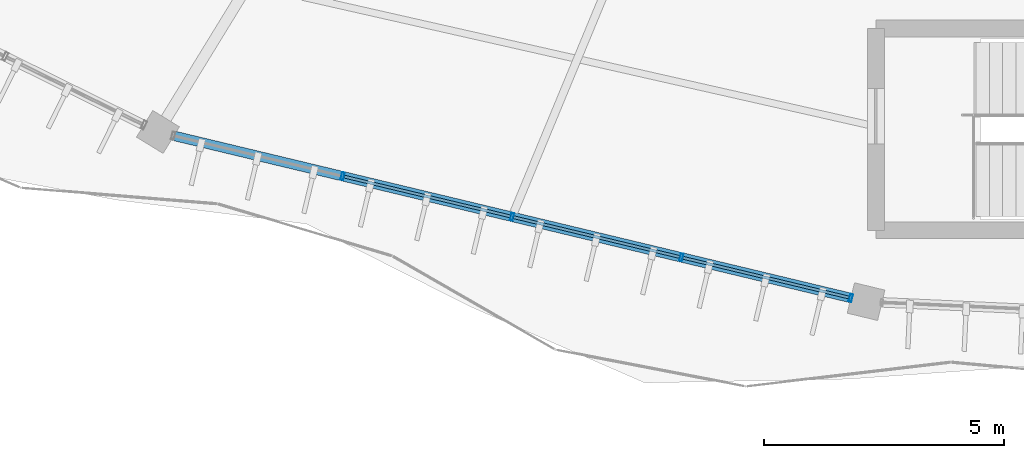
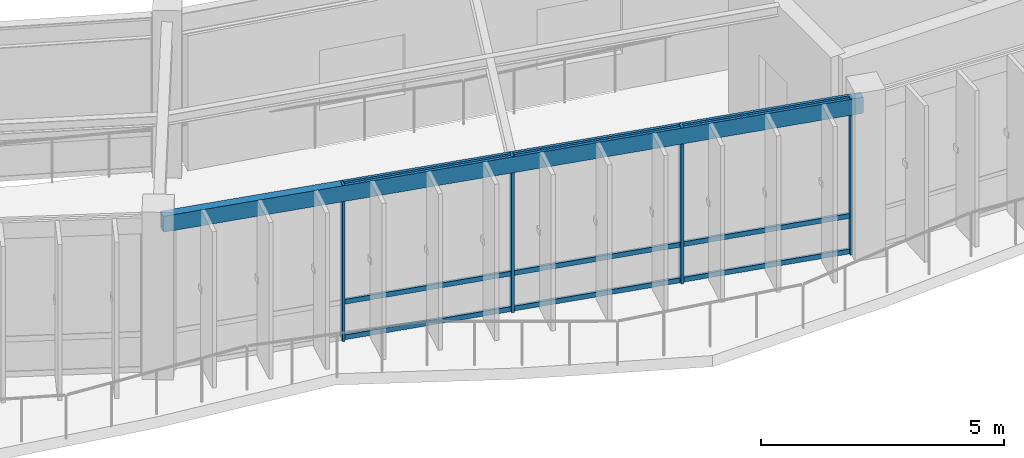
# One storey, part 22 of 114: 13 members, 1 beam, 1 element without a shape of its own.
"""IFC4 building model written with IfcOpenShell, lengths in metres."""

from ifc_helpers import new_model, si_unit, direction, frame, origin, origin_2d, place, context, subcontext, project, spatial, hollow_rectangle, extrude, material, material_profile, profile_set, type_object, element, aggregate, save


model = new_model("IFC4")

# Units and contexts
model_context = context("Model", 3, precision=1e-05, world=origin(), true_north=direction((0.0, 1.0)))
body_context = subcontext(model_context, "Body", "Model", "MODEL_VIEW")
ifc_project = project(units=[si_unit("LENGTHUNIT", "METRE"), si_unit("AREAUNIT", "SQUARE_METRE"), si_unit("VOLUMEUNIT", "CUBIC_METRE"), si_unit("PLANEANGLEUNIT", "RADIAN"), si_unit("MASSUNIT", "GRAM", prefix="KILO"), si_unit("THERMODYNAMICTEMPERATUREUNIT", "KELVIN"), si_unit("POWERUNIT", "WATT")], contexts=[model_context])

# Site, building, storey
site_placement = place(None, origin())
site = spatial("IfcSite", under=ifc_project, at=site_placement, CompositionType="ELEMENT")
building_placement = place(site_placement, origin())
building = spatial("IfcBuilding", under=site, at=building_placement, Name="Darbajah Civic Hall", CompositionType="ELEMENT")
storey_placement = place(building_placement, frame((0.0, 0.0, 13.800048828125)))
storey = spatial("IfcBuildingStorey", under=building, at=storey_placement, Name="L03", CompositionType="ELEMENT", Elevation=13.800048828125)

# Curtain wall, members
ifc_material_1 = material(Name="Anodised Bronze Aluminium and Low-E Glazing", Category="aluminium")
curtain_wall_type = type_object("IfcCurtainWallType", Name="Unitised Curtain Wall CW-48 14500x3900", PredefinedType="USERDEFINED", material=ifc_material_1)
curtain_wall_placement = place(storey_placement, origin())
curtain_wall = element("IfcCurtainWall", 1, at=curtain_wall_placement, inside=storey, type_object=curtain_wall_type, Name="L03 unitised curtain wall CW-V1O-L03-13", ObjectType="UNITISED CURTAIN WALL", PredefinedType="USERDEFINED")
ifc_material_2 = material(Name="Anodised Bronze Aluminium", Category="aluminium")
ifc_material_profile_1 = material_profile(ifc_material_2, hollow_rectangle(XDim=0.06005859375, YDim=0.159912109375, WallThickness=0.00341796875, at=origin_2d()), Name="ALU MULLION 60x160")
ifc_profile_set_1 = profile_set([ifc_material_profile_1], Name="Anodised Bronze Aluminium")
member_type_1 = type_object("IfcMemberType", Name="ALU MULLION 60x160", PredefinedType="MULLION", material=ifc_profile_set_1)
member_1_placement = place(storey_placement, frame((66.297119140625, 63.72607421875, 0.0), z_axis=(0.0, 0.0, 1.0), x_axis=(0.972492018808, -0.232936200179, 0.0)))
member_1 = element("IfcMember", 2, at=member_1_placement, type_object=member_type_1, Name="CW-V1O-L03-13 mullion 2", PredefinedType="MULLION", context=body_context, shape_type="SweptSolid", body=[
    extrude(hollow_rectangle(XDim=0.06005859375, YDim=0.159912109375, WallThickness=0.00341796875, at=origin_2d()), origin(), (0.0, 0.0, 1.0), 3.919921875),
])
member_2_placement = place(storey_placement, frame((69.823486328125, 62.881103515625, 0.0), z_axis=(0.0, 0.0, 1.0), x_axis=(0.972492018808, -0.232936200179, 0.0)))
member_2 = element("IfcMember", 3, at=member_2_placement, type_object=member_type_1, Name="CW-V1O-L03-13 mullion 3", PredefinedType="MULLION", context=body_context, shape_type="SweptSolid", body=[
    extrude(hollow_rectangle(XDim=0.06005859375, YDim=0.159912109375, WallThickness=0.00341796875, at=origin_2d()), origin(), (0.0, 0.0, 1.0), 3.919921875),
])
member_3_placement = place(storey_placement, frame((73.349853515625, 62.0361328125, 0.0), z_axis=(0.0, 0.0, 1.0), x_axis=(0.972492018808, -0.232936200179, 0.0)))
member_3 = element("IfcMember", 4, at=member_3_placement, type_object=member_type_1, Name="CW-V1O-L03-13 mullion 4", PredefinedType="MULLION", context=body_context, shape_type="SweptSolid", body=[
    extrude(hollow_rectangle(XDim=0.06005859375, YDim=0.159912109375, WallThickness=0.00341796875, at=origin_2d()), origin(), (0.0, 0.0, 1.0), 3.919921875),
])
member_4_placement = place(storey_placement, frame((76.876220703125, 61.19140625, 0.0), z_axis=(0.0, 0.0, 1.0), x_axis=(0.972492018808, -0.232936200179, 0.0)))
member_4 = element("IfcMember", 5, at=member_4_placement, type_object=member_type_1, Name="CW-V1O-L03-13 mullion 5", PredefinedType="MULLION", context=body_context, shape_type="SweptSolid", body=[
    extrude(hollow_rectangle(XDim=0.06005859375, YDim=0.159912109375, WallThickness=0.00341796875, at=origin_2d()), origin(), (0.0, 0.0, 1.0), 3.919921875),
])
ifc_material_profile_2 = material_profile(ifc_material_2, hollow_rectangle(XDim=0.06005859375, YDim=0.1201171875, WallThickness=0.003173828125, at=origin_2d()), Name="ALU TRANSOM 60x120")
ifc_profile_set_2 = profile_set([ifc_material_profile_2], Name="Anodised Bronze Aluminium")
member_type_2 = type_object("IfcMemberType", Name="ALU TRANSOM 60x120", PredefinedType="USERDEFINED", material=ifc_profile_set_2)
member_5_placement = place(storey_placement, frame((66.3310546875, 63.7177734375, 0.06005859375), z_axis=(0.972490033445, -0.232944488774, 0.0), x_axis=(0.232944488774, 0.972490033445, 0.0)))
member_5 = element("IfcMember", 6, at=member_5_placement, type_object=member_type_2, Name="CW-V1O-L03-13 transom 2.1", ObjectType="TRANSOM", PredefinedType="USERDEFINED", context=body_context, shape_type="SweptSolid", body=[
    extrude(hollow_rectangle(XDim=0.06005859375, YDim=0.1201171875, WallThickness=0.003173828125, at=origin_2d()), origin(), (0.0, 0.0, 1.0), 3.55615234375),
])
member_6_placement = place(storey_placement, frame((66.3310546875, 63.7177734375, 0.949951171875), z_axis=(0.972490033445, -0.232944488774, 0.0), x_axis=(0.232944488774, 0.972490033445, 0.0)))
member_6 = element("IfcMember", 7, at=member_6_placement, type_object=member_type_2, Name="CW-V1O-L03-13 transom 2.2", ObjectType="TRANSOM", PredefinedType="USERDEFINED", context=body_context, shape_type="SweptSolid", body=[
    extrude(hollow_rectangle(XDim=0.06005859375, YDim=0.1201171875, WallThickness=0.003173828125, at=origin_2d()), origin(), (0.0, 0.0, 1.0), 3.55615234375),
])
member_7_placement = place(storey_placement, frame((66.3310546875, 63.7177734375, 3.85986328125), z_axis=(0.972490033445, -0.232944488774, 0.0), x_axis=(0.232944488774, 0.972490033445, 0.0)))
member_7 = element("IfcMember", 8, at=member_7_placement, type_object=member_type_2, Name="CW-V1O-L03-13 transom 2.3", ObjectType="TRANSOM", PredefinedType="USERDEFINED", context=body_context, shape_type="SweptSolid", body=[
    extrude(hollow_rectangle(XDim=0.06005859375, YDim=0.1201171875, WallThickness=0.003173828125, at=origin_2d()), origin(), (0.0, 0.0, 1.0), 3.55615234375),
])
member_8_placement = place(storey_placement, frame((69.857421875, 62.872802734375, 0.06005859375), z_axis=(0.972493758477, -0.232928937068, 0.0), x_axis=(0.232928937068, 0.972493758477, 0.0)))
member_8 = element("IfcMember", 9, at=member_8_placement, type_object=member_type_2, Name="CW-V1O-L03-13 transom 3.1", ObjectType="TRANSOM", PredefinedType="USERDEFINED", context=body_context, shape_type="SweptSolid", body=[
    extrude(hollow_rectangle(XDim=0.06005859375, YDim=0.1201171875, WallThickness=0.003173828125, at=origin_2d()), origin(), (0.0, 0.0, 1.0), 3.556396484375),
])
member_9_placement = place(storey_placement, frame((69.857421875, 62.872802734375, 0.949951171875), z_axis=(0.972493758477, -0.232928937068, 0.0), x_axis=(0.232928937068, 0.972493758477, 0.0)))
member_9 = element("IfcMember", 10, at=member_9_placement, type_object=member_type_2, Name="CW-V1O-L03-13 transom 3.2", ObjectType="TRANSOM", PredefinedType="USERDEFINED", context=body_context, shape_type="SweptSolid", body=[
    extrude(hollow_rectangle(XDim=0.06005859375, YDim=0.1201171875, WallThickness=0.003173828125, at=origin_2d()), origin(), (0.0, 0.0, 1.0), 3.556396484375),
])
member_10_placement = place(storey_placement, frame((69.857421875, 62.872802734375, 3.85986328125), z_axis=(0.972493758477, -0.232928937068, 0.0), x_axis=(0.232928937068, 0.972493758477, 0.0)))
member_10 = element("IfcMember", 11, at=member_10_placement, type_object=member_type_2, Name="CW-V1O-L03-13 transom 3.3", ObjectType="TRANSOM", PredefinedType="USERDEFINED", context=body_context, shape_type="SweptSolid", body=[
    extrude(hollow_rectangle(XDim=0.06005859375, YDim=0.1201171875, WallThickness=0.003173828125, at=origin_2d()), origin(), (0.0, 0.0, 1.0), 3.556396484375),
])
member_11_placement = place(storey_placement, frame((73.3837890625, 62.028076171875, 0.06005859375), z_axis=(0.972478205861, -0.232993860701, 0.0), x_axis=(0.232993860701, 0.972478205861, 0.0)))
member_11 = element("IfcMember", 12, at=member_11_placement, type_object=member_type_2, Name="CW-V1O-L03-13 transom 4.1", ObjectType="TRANSOM", PredefinedType="USERDEFINED", context=body_context, shape_type="SweptSolid", body=[
    extrude(hollow_rectangle(XDim=0.06005859375, YDim=0.1201171875, WallThickness=0.003173828125, at=origin_2d()), origin(), (0.0, 0.0, 1.0), 3.556396484375),
])
member_12_placement = place(storey_placement, frame((73.3837890625, 62.028076171875, 0.949951171875), z_axis=(0.972478205861, -0.232993860701, 0.0), x_axis=(0.232993860701, 0.972478205861, 0.0)))
member_12 = element("IfcMember", 13, at=member_12_placement, type_object=member_type_2, Name="CW-V1O-L03-13 transom 4.2", ObjectType="TRANSOM", PredefinedType="USERDEFINED", context=body_context, shape_type="SweptSolid", body=[
    extrude(hollow_rectangle(XDim=0.06005859375, YDim=0.1201171875, WallThickness=0.003173828125, at=origin_2d()), origin(), (0.0, 0.0, 1.0), 3.556396484375),
])
member_13_placement = place(storey_placement, frame((73.3837890625, 62.028076171875, 3.85986328125), z_axis=(0.972478205861, -0.232993860701, 0.0), x_axis=(0.232993860701, 0.972478205861, 0.0)))
member_13 = element("IfcMember", 14, at=member_13_placement, type_object=member_type_2, Name="CW-V1O-L03-13 transom 4.3", ObjectType="TRANSOM", PredefinedType="USERDEFINED", context=body_context, shape_type="SweptSolid", body=[
    extrude(hollow_rectangle(XDim=0.06005859375, YDim=0.1201171875, WallThickness=0.003173828125, at=origin_2d()), origin(), (0.0, 0.0, 1.0), 3.556396484375),
])
aggregate(curtain_wall, [member_1, member_2, member_3, member_4, member_5, member_6, member_7, member_8, member_9, member_10, member_11, member_12, member_13])

# Beam
ifc_material_3 = material(Name="Steel S355JR", Category="steel")
ifc_material_profile_3 = material_profile(ifc_material_3, hollow_rectangle(XDim=0.199951171875, YDim=0.39990234375, WallThickness=0.013916015625, at=origin_2d()), Name="RHS 400x200x14")
ifc_profile_set_3 = profile_set([ifc_material_profile_3], Name="Steel S355JR")
beam_type = type_object("IfcBeamType", Name="RHS 400x200x14", PredefinedType="SPANDREL", material=ifc_profile_set_3)
beam_placement = place(storey_placement, frame((62.530517578125, 64.62841796875, 3.719970703125), z_axis=(0.972477948632, -0.232994934332, 0.0), x_axis=(0.232994934332, 0.972477948632, 0.0)))
element("IfcBeam", 15, at=beam_placement, inside=storey, type_object=beam_type, Name="L03 beam SP-RHS400", PredefinedType="SPANDREL", context=body_context, shape_type="SweptSolid", body=[
    extrude(hollow_rectangle(XDim=0.199951171875, YDim=0.39990234375, WallThickness=0.013916015625, at=origin_2d()), origin(), (0.0, 0.0, 1.0), 14.998779296875),
])

save(model, "model.ifc")
